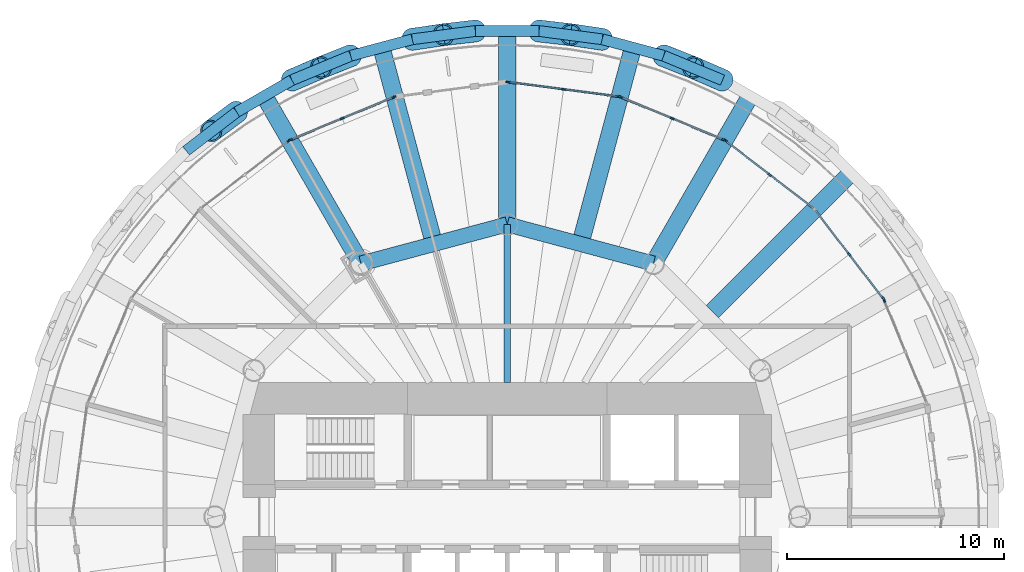
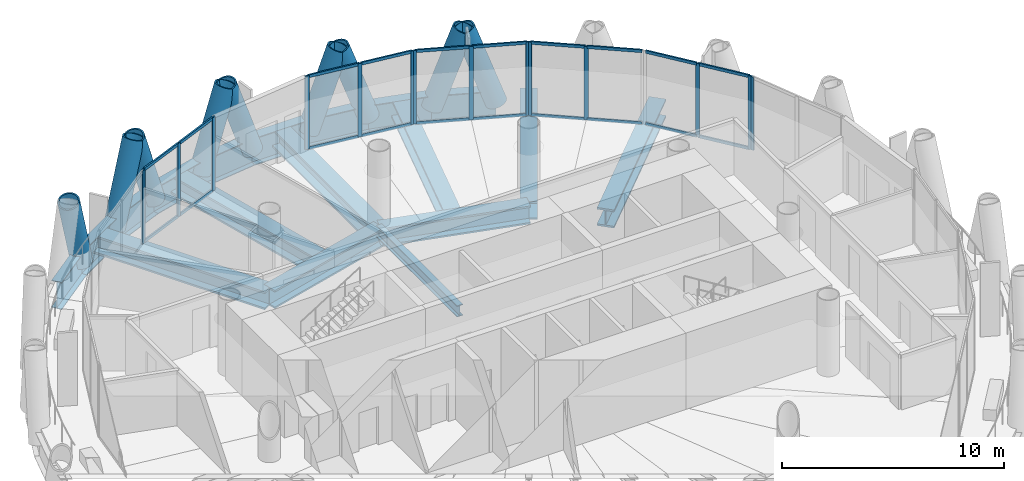
# One storey, part 6 of 15: 44 members, 18 beams, 7 elements without a shape of their own.
"""IFC4 building model written with IfcOpenShell, lengths in metres."""

from ifc_helpers import new_model, si_unit, direction, frame, origin, origin_2d, place, context, subcontext, project, spatial, rectangle, hollow_circle, i_section, extrude, material, material_profile, profile_set, type_object, element, aggregate, save


model = new_model("IFC4")

# Units and contexts
model_context = context("Model", 3, precision=1e-05, world=origin(), true_north=direction((0.0, 1.0)))
body_context = subcontext(model_context, "Body", "Model", "MODEL_VIEW")
ifc_project = project(units=[si_unit("LENGTHUNIT", "METRE"), si_unit("AREAUNIT", "SQUARE_METRE"), si_unit("VOLUMEUNIT", "CUBIC_METRE"), si_unit("PLANEANGLEUNIT", "RADIAN"), si_unit("MASSUNIT", "GRAM", prefix="KILO")], contexts=[model_context])

# Site, building, storey
site_placement = place(None, origin())
site = spatial("IfcSite", under=ifc_project, at=site_placement, CompositionType="ELEMENT")
building_placement = place(site_placement, origin())
building = spatial("IfcBuilding", under=site, at=building_placement, Name="Qaws Media Tower", CompositionType="ELEMENT")
storey_placement = place(building_placement, frame((0.0, 0.0, 231.800048828125)))
storey = spatial("IfcBuildingStorey", under=building, at=storey_placement, Name="L53", CompositionType="ELEMENT", Elevation=231.800048828125)

# Curtain wall, member
ifc_material_1 = material(Name="Aluminium and clear glass", Category="aluminium")
curtain_wall_type = type_object("IfcCurtainWallType", Name="Unitised curtain wall CW-C", PredefinedType="NOTDEFINED", material=ifc_material_1)
curtain_wall_1_placement = place(storey_placement, origin())
curtain_wall_1 = element("IfcCurtainWall", 1, at=curtain_wall_1_placement, inside=storey, type_object=curtain_wall_type, Name="CWC curtain wall L53-02", PredefinedType="NOTDEFINED")
ifc_material_2 = material(Name="Aluminium mullion", Category="aluminium")
ifc_material_profile_1 = material_profile(ifc_material_2, rectangle(XDim=0.080078125, YDim=0.199951171875, at=origin_2d()), Name="80x200")
ifc_profile_set_1 = profile_set([ifc_material_profile_1], Name="Aluminium mullion")
member_type_1 = type_object("IfcMemberType", Name="Curtain wall mullion 80x200", PredefinedType="MULLION", material=ifc_profile_set_1)
member_1_placement = place(storey_placement, frame((77.40087890625, 60.00048828125, 0.0), z_axis=(0.0, 0.0, 1.0), x_axis=(-0.923879540513, -0.382683413048, 0.0)))
member_1 = element("IfcMember", 2, at=member_1_placement, type_object=member_type_1, Name="CWC mullion 3", PredefinedType="MULLION", context=body_context, shape_type="SweptSolid", body=[
    extrude(rectangle(XDim=0.080078125, YDim=0.199951171875, at=origin_2d()), origin(), (0.0, 0.0, 1.0), 4.0400390625),
])
aggregate(curtain_wall_1, [member_1])

# Curtain wall, members
curtain_wall_2_placement = place(storey_placement, origin())
curtain_wall_2 = element("IfcCurtainWall", 3, at=curtain_wall_2_placement, inside=storey, type_object=curtain_wall_type, Name="CWC curtain wall L53-03", PredefinedType="NOTDEFINED")
member_2_placement = place(storey_placement, frame((77.361083984375, 60.0693359375, 0.0), z_axis=(0.0, 0.0, 1.0), x_axis=(-0.79335339842, -0.608761353254, 0.0)))
member_2 = element("IfcMember", 4, at=member_2_placement, type_object=member_type_1, Name="CWC mullion 1", PredefinedType="MULLION", context=body_context, shape_type="SweptSolid", body=[
    extrude(rectangle(XDim=0.080078125, YDim=0.199951171875, at=origin_2d()), origin(), (0.0, 0.0, 1.0), 4.0400390625),
])
member_3_placement = place(storey_placement, frame((75.790283203125, 62.116455078125, 0.0), z_axis=(0.0, 0.0, 1.0), x_axis=(-0.79335339842, -0.608761353254, 0.0)))
member_3 = element("IfcMember", 5, at=member_3_placement, type_object=member_type_1, Name="CWC mullion 2", PredefinedType="MULLION", context=body_context, shape_type="SweptSolid", body=[
    extrude(rectangle(XDim=0.080078125, YDim=0.199951171875, at=origin_2d()), origin(), (0.0, 0.0, 1.0), 4.0400390625),
])

curtain_wall_3_placement = place(storey_placement, origin())
curtain_wall_3 = element("IfcCurtainWall", 6, at=curtain_wall_3_placement, inside=storey, type_object=curtain_wall_type, Name="CWC curtain wall L53-04", PredefinedType="NOTDEFINED")
member_4_placement = place(storey_placement, frame((72.116455078125, 65.790283203125, 0.0), z_axis=(0.0, 0.0, 1.0), x_axis=(-0.608761353254, -0.79335339842, 0.0)))
member_4 = element("IfcMember", 7, at=member_4_placement, type_object=member_type_1, Name="CWC mullion 2", PredefinedType="MULLION", context=body_context, shape_type="SweptSolid", body=[
    extrude(rectangle(XDim=0.080078125, YDim=0.199951171875, at=origin_2d()), origin(), (0.0, 0.0, 1.0), 4.0400390625),
])
member_5_placement = place(storey_placement, frame((70.0693359375, 67.361083984375, 0.0), z_axis=(0.0, 0.0, 1.0), x_axis=(-0.608761353254, -0.79335339842, 0.0)))
member_5 = element("IfcMember", 8, at=member_5_placement, type_object=member_type_1, Name="CWC mullion 3", PredefinedType="MULLION", context=body_context, shape_type="SweptSolid", body=[
    extrude(rectangle(XDim=0.080078125, YDim=0.199951171875, at=origin_2d()), origin(), (0.0, 0.0, 1.0), 4.0400390625),
])

curtain_wall_4_placement = place(storey_placement, origin())
curtain_wall_4 = element("IfcCurtainWall", 9, at=curtain_wall_4_placement, inside=storey, type_object=curtain_wall_type, Name="CWC curtain wall L53-05", PredefinedType="NOTDEFINED")
member_6_placement = place(storey_placement, frame((70.00048828125, 67.40087890625, 0.0), z_axis=(0.0, 0.0, 1.0), x_axis=(-0.382683413048, -0.923879540513, 0.0)))
member_6 = element("IfcMember", 10, at=member_6_placement, type_object=member_type_1, Name="CWC mullion 1", PredefinedType="MULLION", context=body_context, shape_type="SweptSolid", body=[
    extrude(rectangle(XDim=0.080078125, YDim=0.199951171875, at=origin_2d()), origin(), (0.0, 0.0, 1.0), 4.0400390625),
])
member_7_placement = place(storey_placement, frame((67.61669921875, 68.38818359375, 0.0), z_axis=(0.0, 0.0, 1.0), x_axis=(-0.382683413048, -0.923879540513, 0.0)))
member_7 = element("IfcMember", 11, at=member_7_placement, type_object=member_type_1, Name="CWC mullion 2", PredefinedType="MULLION", context=body_context, shape_type="SweptSolid", body=[
    extrude(rectangle(XDim=0.080078125, YDim=0.199951171875, at=origin_2d()), origin(), (0.0, 0.0, 1.0), 4.0400390625),
])
member_8_placement = place(storey_placement, frame((65.232666015625, 69.375732421875, 0.0), z_axis=(0.0, 0.0, 1.0), x_axis=(-0.382683413048, -0.923879540513, 0.0)))
member_8 = element("IfcMember", 12, at=member_8_placement, type_object=member_type_1, Name="CWC mullion 3", PredefinedType="MULLION", context=body_context, shape_type="SweptSolid", body=[
    extrude(rectangle(XDim=0.080078125, YDim=0.199951171875, at=origin_2d()), origin(), (0.0, 0.0, 1.0), 4.0400390625),
])

curtain_wall_5_placement = place(storey_placement, origin())
curtain_wall_5 = element("IfcCurtainWall", 13, at=curtain_wall_5_placement, inside=storey, type_object=curtain_wall_type, Name="CWC curtain wall L53-06", PredefinedType="NOTDEFINED")
member_9_placement = place(storey_placement, frame((65.15625, 69.396240234375, 0.0), z_axis=(0.0, 0.0, 1.0), x_axis=(-0.130526193397, -0.991444861219, 0.0)))
member_9 = element("IfcMember", 14, at=member_9_placement, type_object=member_type_1, Name="CWC mullion 1", PredefinedType="MULLION", context=body_context, shape_type="SweptSolid", body=[
    extrude(rectangle(XDim=0.080078125, YDim=0.199951171875, at=origin_2d()), origin(), (0.0, 0.0, 1.0), 4.0400390625),
])
member_10_placement = place(storey_placement, frame((62.597900390625, 69.73291015625, 0.0), z_axis=(0.0, 0.0, 1.0), x_axis=(-0.130526193397, -0.991444861219, 0.0)))
member_10 = element("IfcMember", 15, at=member_10_placement, type_object=member_type_1, Name="CWC mullion 2", PredefinedType="MULLION", context=body_context, shape_type="SweptSolid", body=[
    extrude(rectangle(XDim=0.080078125, YDim=0.199951171875, at=origin_2d()), origin(), (0.0, 0.0, 1.0), 4.0400390625),
])
member_11_placement = place(storey_placement, frame((60.03955078125, 70.06982421875, 0.0), z_axis=(0.0, 0.0, 1.0), x_axis=(-0.130526193397, -0.991444861219, 0.0)))
member_11 = element("IfcMember", 16, at=member_11_placement, type_object=member_type_1, Name="CWC mullion 3", PredefinedType="MULLION", context=body_context, shape_type="SweptSolid", body=[
    extrude(rectangle(XDim=0.080078125, YDim=0.199951171875, at=origin_2d()), origin(), (0.0, 0.0, 1.0), 4.0400390625),
])

curtain_wall_6_placement = place(storey_placement, origin())
curtain_wall_6 = element("IfcCurtainWall", 17, at=curtain_wall_6_placement, inside=storey, type_object=curtain_wall_type, Name="CWC curtain wall L53-08", PredefinedType="NOTDEFINED")
member_12_placement = place(storey_placement, frame((54.767333984375, 69.375732421875, 0.0), z_axis=(0.0, 0.0, 1.0), x_axis=(0.382683413048, -0.923879540513, 0.0)))
member_12 = element("IfcMember", 18, at=member_12_placement, type_object=member_type_1, Name="CWC mullion 1", PredefinedType="MULLION", context=body_context, shape_type="SweptSolid", body=[
    extrude(rectangle(XDim=0.080078125, YDim=0.199951171875, at=origin_2d()), origin(), (0.0, 0.0, 1.0), 4.0400390625),
])
member_13_placement = place(storey_placement, frame((52.38330078125, 68.38818359375, 0.0), z_axis=(0.0, 0.0, 1.0), x_axis=(0.382683413048, -0.923879540513, 0.0)))
member_13 = element("IfcMember", 19, at=member_13_placement, type_object=member_type_1, Name="CWC mullion 2", PredefinedType="MULLION", context=body_context, shape_type="SweptSolid", body=[
    extrude(rectangle(XDim=0.080078125, YDim=0.199951171875, at=origin_2d()), origin(), (0.0, 0.0, 1.0), 4.0400390625),
])
member_14_placement = place(storey_placement, frame((49.99951171875, 67.40087890625, 0.0), z_axis=(0.0, 0.0, 1.0), x_axis=(0.382683413048, -0.923879540513, 0.0)))
member_14 = element("IfcMember", 20, at=member_14_placement, type_object=member_type_1, Name="CWC mullion 3", PredefinedType="MULLION", context=body_context, shape_type="SweptSolid", body=[
    extrude(rectangle(XDim=0.080078125, YDim=0.199951171875, at=origin_2d()), origin(), (0.0, 0.0, 1.0), 4.0400390625),
])

# Curtain wall, member
curtain_wall_7_placement = place(storey_placement, origin())
curtain_wall_7 = element("IfcCurtainWall", 21, at=curtain_wall_7_placement, inside=storey, type_object=curtain_wall_type, Name="CWC curtain wall L53-09", PredefinedType="NOTDEFINED")
member_15_placement = place(storey_placement, frame((49.9306640625, 67.361083984375, 0.0), z_axis=(0.0, 0.0, 1.0), x_axis=(0.608761353254, -0.79335339842, 0.0)))
member_15 = element("IfcMember", 22, at=member_15_placement, type_object=member_type_1, Name="CWC mullion 1", PredefinedType="MULLION", context=body_context, shape_type="SweptSolid", body=[
    extrude(rectangle(XDim=0.080078125, YDim=0.199951171875, at=origin_2d()), origin(), (0.0, 0.0, 1.0), 4.0400390625),
])
aggregate(curtain_wall_7, [member_15])

# Member
ifc_material_3 = material(Name="Aluminium transom", Category="aluminium")
ifc_material_profile_2 = material_profile(ifc_material_3, rectangle(XDim=0.080078125, YDim=0.159912109375, at=origin_2d()), Name="80x160")
ifc_profile_set_2 = profile_set([ifc_material_profile_2], Name="Aluminium transom")
member_type_2 = type_object("IfcMemberType", Name="Curtain wall transom 80x160", PredefinedType="USERDEFINED", material=ifc_profile_set_2)
member_16_placement = place(storey_placement, frame((77.336669921875, 60.10107421875, 0.0400390625), z_axis=(-0.608728745626, 0.793378418064, 0.0), x_axis=(-0.793378418064, -0.608728745626, 0.0)))
member_16 = element("IfcMember", 23, at=member_16_placement, type_object=member_type_2, Name="CWC transom 1.1", ObjectType="TRANSOM", PredefinedType="USERDEFINED", context=body_context, shape_type="SweptSolid", body=[
    extrude(rectangle(XDim=0.080078125, YDim=0.159912109375, at=origin_2d()), origin(), (0.0, 0.0, 1.0), 2.500244140625),
])

member_17_placement = place(storey_placement, frame((77.336669921875, 60.10107421875, 4.0), z_axis=(-0.608728745626, 0.793378418064, 0.0), x_axis=(-0.793378418064, -0.608728745626, 0.0)))
member_17 = element("IfcMember", 24, at=member_17_placement, type_object=member_type_2, Name="CWC transom 1.2", ObjectType="TRANSOM", PredefinedType="USERDEFINED", context=body_context, shape_type="SweptSolid", body=[
    extrude(rectangle(XDim=0.080078125, YDim=0.159912109375, at=origin_2d()), origin(), (0.0, 0.0, 1.0), 2.500244140625),
])

member_18_placement = place(storey_placement, frame((75.765869140625, 62.14794921875, 0.0400390625), z_axis=(-0.608728745626, 0.793378418064, 0.0), x_axis=(-0.793378418064, -0.608728745626, 0.0)))
member_18 = element("IfcMember", 25, at=member_18_placement, type_object=member_type_2, Name="CWC transom 2.1", ObjectType="TRANSOM", PredefinedType="USERDEFINED", context=body_context, shape_type="SweptSolid", body=[
    extrude(rectangle(XDim=0.080078125, YDim=0.159912109375, at=origin_2d()), origin(), (0.0, 0.0, 1.0), 2.500244140625),
])

member_19_placement = place(storey_placement, frame((75.765869140625, 62.14794921875, 4.0), z_axis=(-0.608728745626, 0.793378418064, 0.0), x_axis=(-0.793378418064, -0.608728745626, 0.0)))
member_19 = element("IfcMember", 26, at=member_19_placement, type_object=member_type_2, Name="CWC transom 2.2", ObjectType="TRANSOM", PredefinedType="USERDEFINED", context=body_context, shape_type="SweptSolid", body=[
    extrude(rectangle(XDim=0.080078125, YDim=0.159912109375, at=origin_2d()), origin(), (0.0, 0.0, 1.0), 2.500244140625),
])

aggregate(curtain_wall_2, [member_2, member_3, member_16, member_17, member_18, member_19])

member_20_placement = place(storey_placement, frame((74.131591796875, 64.243896484375, 0.0400390625), z_axis=(-0.793378418064, 0.608728745626, 0.0), x_axis=(-0.608728745626, -0.793378418064, 0.0)))
member_20 = element("IfcMember", 27, at=member_20_placement, type_object=member_type_2, Name="CWC transom 1.1", ObjectType="TRANSOM", PredefinedType="USERDEFINED", context=body_context, shape_type="SweptSolid", body=[
    extrude(rectangle(XDim=0.080078125, YDim=0.159912109375, at=origin_2d()), origin(), (0.0, 0.0, 1.0), 2.500244140625),
])

member_21_placement = place(storey_placement, frame((74.131591796875, 64.243896484375, 4.0), z_axis=(-0.793378418064, 0.608728745626, 0.0), x_axis=(-0.608728745626, -0.793378418064, 0.0)))
member_21 = element("IfcMember", 28, at=member_21_placement, type_object=member_type_2, Name="CWC transom 1.2", ObjectType="TRANSOM", PredefinedType="USERDEFINED", context=body_context, shape_type="SweptSolid", body=[
    extrude(rectangle(XDim=0.080078125, YDim=0.159912109375, at=origin_2d()), origin(), (0.0, 0.0, 1.0), 2.500244140625),
])

member_22_placement = place(storey_placement, frame((72.084716796875, 65.814697265625, 0.0400390625), z_axis=(-0.793378418064, 0.608728745626, 0.0), x_axis=(-0.608728745626, -0.793378418064, 0.0)))
member_22 = element("IfcMember", 29, at=member_22_placement, type_object=member_type_2, Name="CWC transom 2.1", ObjectType="TRANSOM", PredefinedType="USERDEFINED", context=body_context, shape_type="SweptSolid", body=[
    extrude(rectangle(XDim=0.080078125, YDim=0.159912109375, at=origin_2d()), origin(), (0.0, 0.0, 1.0), 2.500244140625),
])

member_23_placement = place(storey_placement, frame((72.084716796875, 65.814697265625, 4.0), z_axis=(-0.793378418064, 0.608728745626, 0.0), x_axis=(-0.608728745626, -0.793378418064, 0.0)))
member_23 = element("IfcMember", 30, at=member_23_placement, type_object=member_type_2, Name="CWC transom 2.2", ObjectType="TRANSOM", PredefinedType="USERDEFINED", context=body_context, shape_type="SweptSolid", body=[
    extrude(rectangle(XDim=0.080078125, YDim=0.159912109375, at=origin_2d()), origin(), (0.0, 0.0, 1.0), 2.500244140625),
])

aggregate(curtain_wall_3, [member_4, member_5, member_20, member_21, member_22, member_23])

member_24_placement = place(storey_placement, frame((69.963623046875, 67.416015625, 0.0400390625), z_axis=(-0.923889499549, 0.382659368921, 0.0), x_axis=(-0.382659368921, -0.923889499549, 0.0)))
member_24 = element("IfcMember", 31, at=member_24_placement, type_object=member_type_2, Name="CWC transom 1.1", ObjectType="TRANSOM", PredefinedType="USERDEFINED", context=body_context, shape_type="SweptSolid", body=[
    extrude(rectangle(XDim=0.080078125, YDim=0.159912109375, at=origin_2d()), origin(), (0.0, 0.0, 1.0), 2.500244140625),
])

member_25_placement = place(storey_placement, frame((69.963623046875, 67.416015625, 4.0), z_axis=(-0.923889499549, 0.382659368921, 0.0), x_axis=(-0.382659368921, -0.923889499549, 0.0)))
member_25 = element("IfcMember", 32, at=member_25_placement, type_object=member_type_2, Name="CWC transom 1.2", ObjectType="TRANSOM", PredefinedType="USERDEFINED", context=body_context, shape_type="SweptSolid", body=[
    extrude(rectangle(XDim=0.080078125, YDim=0.159912109375, at=origin_2d()), origin(), (0.0, 0.0, 1.0), 2.500244140625),
])

member_26_placement = place(storey_placement, frame((67.57958984375, 68.403564453125, 0.0400390625), z_axis=(-0.923875200059, 0.382693891664, 0.0), x_axis=(-0.382693891664, -0.923875200059, 0.0)))
member_26 = element("IfcMember", 33, at=member_26_placement, type_object=member_type_2, Name="CWC transom 2.1", ObjectType="TRANSOM", PredefinedType="USERDEFINED", context=body_context, shape_type="SweptSolid", body=[
    extrude(rectangle(XDim=0.080078125, YDim=0.159912109375, at=origin_2d()), origin(), (0.0, 0.0, 1.0), 2.500244140625),
])

member_27_placement = place(storey_placement, frame((67.57958984375, 68.403564453125, 4.0), z_axis=(-0.923875200059, 0.382693891664, 0.0), x_axis=(-0.382693891664, -0.923875200059, 0.0)))
member_27 = element("IfcMember", 34, at=member_27_placement, type_object=member_type_2, Name="CWC transom 2.2", ObjectType="TRANSOM", PredefinedType="USERDEFINED", context=body_context, shape_type="SweptSolid", body=[
    extrude(rectangle(XDim=0.080078125, YDim=0.159912109375, at=origin_2d()), origin(), (0.0, 0.0, 1.0), 2.500244140625),
])

aggregate(curtain_wall_4, [member_6, member_7, member_8, member_24, member_25, member_26, member_27])

member_28_placement = place(storey_placement, frame((65.116455078125, 69.4013671875, 0.0400390625), z_axis=(-0.991442327246, 0.130545439386, 0.0), x_axis=(-0.130545439386, -0.991442327246, 0.0)))
member_28 = element("IfcMember", 35, at=member_28_placement, type_object=member_type_2, Name="CWC transom 1.1", ObjectType="TRANSOM", PredefinedType="USERDEFINED", context=body_context, shape_type="SweptSolid", body=[
    extrude(rectangle(XDim=0.080078125, YDim=0.159912109375, at=origin_2d()), origin(), (0.0, 0.0, 1.0), 2.50048828125),
])

member_29_placement = place(storey_placement, frame((65.116455078125, 69.4013671875, 4.0), z_axis=(-0.991442327246, 0.130545439386, 0.0), x_axis=(-0.130545439386, -0.991442327246, 0.0)))
member_29 = element("IfcMember", 36, at=member_29_placement, type_object=member_type_2, Name="CWC transom 1.2", ObjectType="TRANSOM", PredefinedType="USERDEFINED", context=body_context, shape_type="SweptSolid", body=[
    extrude(rectangle(XDim=0.080078125, YDim=0.159912109375, at=origin_2d()), origin(), (0.0, 0.0, 1.0), 2.50048828125),
])

member_30_placement = place(storey_placement, frame((62.558349609375, 69.73828125, 0.0400390625), z_axis=(-0.991454960212, 0.130449460985, 0.0), x_axis=(-0.130449460985, -0.991454960212, 0.0)))
member_30 = element("IfcMember", 37, at=member_30_placement, type_object=member_type_2, Name="CWC transom 2.1", ObjectType="TRANSOM", PredefinedType="USERDEFINED", context=body_context, shape_type="SweptSolid", body=[
    extrude(rectangle(XDim=0.080078125, YDim=0.159912109375, at=origin_2d()), origin(), (0.0, 0.0, 1.0), 2.50048828125),
])

member_31_placement = place(storey_placement, frame((62.558349609375, 69.73828125, 4.0), z_axis=(-0.991454960212, 0.130449460985, 0.0), x_axis=(-0.130449460985, -0.991454960212, 0.0)))
member_31 = element("IfcMember", 38, at=member_31_placement, type_object=member_type_2, Name="CWC transom 2.2", ObjectType="TRANSOM", PredefinedType="USERDEFINED", context=body_context, shape_type="SweptSolid", body=[
    extrude(rectangle(XDim=0.080078125, YDim=0.159912109375, at=origin_2d()), origin(), (0.0, 0.0, 1.0), 2.50048828125),
])

aggregate(curtain_wall_5, [member_9, member_10, member_11, member_28, member_29, member_30, member_31])

member_32_placement = place(storey_placement, frame((54.730224609375, 69.3603515625, 0.0400390625), z_axis=(-0.923875200059, -0.382693891664, 0.0), x_axis=(0.382693891664, -0.923875200059, 0.0)))
member_32 = element("IfcMember", 39, at=member_32_placement, type_object=member_type_2, Name="CWC transom 1.1", ObjectType="TRANSOM", PredefinedType="USERDEFINED", context=body_context, shape_type="SweptSolid", body=[
    extrude(rectangle(XDim=0.080078125, YDim=0.159912109375, at=origin_2d()), origin(), (0.0, 0.0, 1.0), 2.500244140625),
])

member_33_placement = place(storey_placement, frame((54.730224609375, 69.3603515625, 4.0), z_axis=(-0.923875200059, -0.382693891664, 0.0), x_axis=(0.382693891664, -0.923875200059, 0.0)))
member_33 = element("IfcMember", 40, at=member_33_placement, type_object=member_type_2, Name="CWC transom 1.2", ObjectType="TRANSOM", PredefinedType="USERDEFINED", context=body_context, shape_type="SweptSolid", body=[
    extrude(rectangle(XDim=0.080078125, YDim=0.159912109375, at=origin_2d()), origin(), (0.0, 0.0, 1.0), 2.500244140625),
])

member_34_placement = place(storey_placement, frame((52.346435546875, 68.372802734375, 0.0400390625), z_axis=(-0.923889499549, -0.382659368921, 0.0), x_axis=(0.382659368921, -0.923889499549, 0.0)))
member_34 = element("IfcMember", 41, at=member_34_placement, type_object=member_type_2, Name="CWC transom 2.1", ObjectType="TRANSOM", PredefinedType="USERDEFINED", context=body_context, shape_type="SweptSolid", body=[
    extrude(rectangle(XDim=0.080078125, YDim=0.159912109375, at=origin_2d()), origin(), (0.0, 0.0, 1.0), 2.500244140625),
])

member_35_placement = place(storey_placement, frame((52.346435546875, 68.372802734375, 4.0), z_axis=(-0.923889499549, -0.382659368921, 0.0), x_axis=(0.382659368921, -0.923889499549, 0.0)))
member_35 = element("IfcMember", 42, at=member_35_placement, type_object=member_type_2, Name="CWC transom 2.2", ObjectType="TRANSOM", PredefinedType="USERDEFINED", context=body_context, shape_type="SweptSolid", body=[
    extrude(rectangle(XDim=0.080078125, YDim=0.159912109375, at=origin_2d()), origin(), (0.0, 0.0, 1.0), 2.500244140625),
])

aggregate(curtain_wall_6, [member_12, member_13, member_14, member_32, member_33, member_34, member_35])

# Members
ifc_material_4 = material(Name="Steel S460", Category="steel")
ifc_material_profile_3 = material_profile(ifc_material_4, hollow_circle(Radius=0.508056640625, WallThickness=0.070068359375, at=origin_2d()), Name="CHS 1016x70")
ifc_profile_set_3 = profile_set([ifc_material_profile_3], Name="Steel S460")
member_type_3 = type_object("IfcMemberType", Name="Diagrid member CHS 1016x70", PredefinedType="USERDEFINED", material=ifc_profile_set_3)
for number, where, z_axis, x_axis, name in (
    (43, (69.9404296875, 70.1572265625, -0.91015625), (-0.303170936051, 0.131231429431, 0.943856819366), (-0.397243881504, -0.917713080765, 0.0), "DG3 diagrid L53 A05"),
    (44, (64.384765625, 72.043212890625, -0.91015625), (-0.326815793982, 0.048278982492, 0.943854107717), (-0.146139386933, -0.989264009043, 0.0), "DG3 diagrid L53 A06"),
    (45, (67.224365234375, 71.2822265625, -0.91015625), (0.307175392233, -0.121575400819, 0.943855232714), (0.368009566167, 0.929822004047, 0.0), "DG3 diagrid L53 B06"),
    (46, (58.530029296875, 72.4267578125, -0.91015625), (-0.328186587472, -0.037909884979, 0.943851897505), (0.114750170186, -0.993394382127, 0.0), "DG3 diagrid L53 A07"),
    (47, (61.469970703125, 72.4267578125, -0.91015625), (0.328186587472, -0.037909884979, 0.943851897505), (0.114750170186, 0.993394382127, 0.0), "DG3 diagrid L53 B07"),
    (48, (52.775634765625, 71.2822265625, -0.91015625), (-0.307175392233, -0.121575400819, 0.943855232714), (0.368009566167, -0.929822004047, 0.0), "DG3 diagrid L53 A08"),
    (49, (55.615234375, 72.043212890625, -0.91015625), (0.326815793982, 0.048278982492, 0.943854107717), (-0.146139386933, 0.989264009043, 0.0), "DG3 diagrid L53 B08"),
):
    element("IfcMember", number, at=place(storey_placement, frame(where, z_axis=z_axis, x_axis=x_axis)), inside=storey, type_object=member_type_3, Name=name, ObjectType="DIAGRID", PredefinedType="USERDEFINED", context=body_context, shape_type="SweptSolid", body=[
        extrude(hollow_circle(Radius=0.508056640625, WallThickness=0.070068359375, at=origin_2d()), origin(), (0.0, 0.0, 1.0), 4.449951171875),
    ])
member_36_placement = place(storey_placement, frame((47.513671875, 68.687255859375, -0.91015625), z_axis=(-0.265258064978, -0.196954799022, 0.943846897598), x_axis=(0.596140546888, -0.802880095878, 0.0)))
element("IfcMember", 50, at=member_36_placement, inside=storey, type_object=member_type_3, Name="DG3 diagrid L53 A09", ObjectType="DIAGRID", PredefinedType="USERDEFINED", context=body_context, shape_type="SweptSolid", body=[
    extrude(hollow_circle(Radius=0.508056640625, WallThickness=0.070068359375, at=origin_2d()), origin(), (0.0, 0.0, 1.0), 4.4501953125),
])
member_37_placement = place(storey_placement, frame((50.0595703125, 70.1572265625, -0.91015625), z_axis=(0.303170936051, 0.131231429431, 0.943856819366), x_axis=(-0.397243881504, 0.917713080765, 0.0)))
element("IfcMember", 51, at=member_37_placement, inside=storey, type_object=member_type_3, Name="DG3 diagrid L53 B09", ObjectType="DIAGRID", PredefinedType="USERDEFINED", context=body_context, shape_type="SweptSolid", body=[
    extrude(hollow_circle(Radius=0.508056640625, WallThickness=0.070068359375, at=origin_2d()), origin(), (0.0, 0.0, 1.0), 4.449951171875),
])

# Beams
ifc_material_5 = material(Name="Steel S460", Category="steel")
ifc_material_profile_4 = material_profile(ifc_material_5, i_section(OverallWidth=0.5, OverallDepth=1.5, WebThickness=0.02001953125, FlangeThickness=0.0400390625, at=origin_2d()), Name="PG 1500x500")
ifc_profile_set_4 = profile_set([ifc_material_profile_4], Name="Steel S460")
beam_type_1 = type_object("IfcBeamType", Name="Edge ring beam PG 1500x500", PredefinedType="BEAM", material=ifc_profile_set_4)
beam_1_placement = place(storey_placement, frame((69.9404296875, 70.1572265625, -0.91015625), z_axis=(-0.923883228482, 0.38267450938, 0.0), x_axis=(-0.38267450938, -0.923883228482, 0.0)))
element("IfcBeam", 52, at=beam_1_placement, inside=storey, type_object=beam_type_1, Name="RB4 edge ring beam L53-09", PredefinedType="BEAM", context=body_context, shape_type="SweptSolid", body=[
    extrude(i_section(OverallWidth=0.5, OverallDepth=1.5, WebThickness=0.02001953125, FlangeThickness=0.0400390625, at=origin_2d()), origin(), (0.0, 0.0, 1.0), 2.93994140625),
])
beam_2_placement = place(storey_placement, frame((67.224365234375, 71.2822265625, -0.91015625), z_axis=(-0.965915798866, 0.258856465056, 0.0), x_axis=(-0.258856465056, -0.965915798866, 0.0)))
element("IfcBeam", 53, at=beam_2_placement, inside=storey, type_object=beam_type_1, Name="RB4 edge ring beam L53-10", PredefinedType="BEAM", context=body_context, shape_type="SweptSolid", body=[
    extrude(i_section(OverallWidth=0.5, OverallDepth=1.5, WebThickness=0.02001953125, FlangeThickness=0.0400390625, at=origin_2d()), origin(), (0.0, 0.0, 1.0), 2.939697265625),
])
for number, where, z_axis, x_axis, name in (
    (54, (64.384765625, 72.043212890625, -0.91015625), (-0.991453447565, 0.130460957042, 0.0), (-0.130460957042, -0.991453447565, 0.0), "RB4 edge ring beam L53-11"),
    (55, (61.469970703125, 72.4267578125, -0.91015625), (-1.0, 0.0, 0.0), (0.0, -1.0, 0.0), "RB4 edge ring beam L53-12"),
    (56, (58.530029296875, 72.4267578125, -0.91015625), (-0.991453447565, -0.130460957042, 0.0), (0.130460957042, -0.991453447565, 0.0), "RB4 edge ring beam L53-13"),
):
    element("IfcBeam", number, at=place(storey_placement, frame(where, z_axis=z_axis, x_axis=x_axis)), inside=storey, type_object=beam_type_1, Name=name, PredefinedType="BEAM", context=body_context, shape_type="SweptSolid", body=[
        extrude(i_section(OverallWidth=0.5, OverallDepth=1.5, WebThickness=0.02001953125, FlangeThickness=0.0400390625, at=origin_2d()), origin(), (0.0, 0.0, 1.0), 2.93994140625),
    ])
beam_3_placement = place(storey_placement, frame((55.615234375, 72.043212890625, -0.91015625), z_axis=(-0.965915798866, -0.258856465056, 0.0), x_axis=(0.258856465056, -0.965915798866, 0.0)))
element("IfcBeam", 57, at=beam_3_placement, inside=storey, type_object=beam_type_1, Name="RB4 edge ring beam L53-14", PredefinedType="BEAM", context=body_context, shape_type="SweptSolid", body=[
    extrude(i_section(OverallWidth=0.5, OverallDepth=1.5, WebThickness=0.02001953125, FlangeThickness=0.0400390625, at=origin_2d()), origin(), (0.0, 0.0, 1.0), 2.939697265625),
])
beam_4_placement = place(storey_placement, frame((52.775634765625, 71.2822265625, -0.91015625), z_axis=(-0.923883228482, -0.38267450938, 0.0), x_axis=(0.38267450938, -0.923883228482, 0.0)))
element("IfcBeam", 58, at=beam_4_placement, inside=storey, type_object=beam_type_1, Name="RB4 edge ring beam L53-15", PredefinedType="BEAM", context=body_context, shape_type="SweptSolid", body=[
    extrude(i_section(OverallWidth=0.5, OverallDepth=1.5, WebThickness=0.02001953125, FlangeThickness=0.0400390625, at=origin_2d()), origin(), (0.0, 0.0, 1.0), 2.93994140625),
])
beam_5_placement = place(storey_placement, frame((50.0595703125, 70.1572265625, -0.91015625), z_axis=(-0.866011328839, -0.500024377727, 0.0), x_axis=(0.500024377727, -0.866011328839, 0.0)))
element("IfcBeam", 59, at=beam_5_placement, inside=storey, type_object=beam_type_1, Name="RB4 edge ring beam L53-16", PredefinedType="BEAM", context=body_context, shape_type="SweptSolid", body=[
    extrude(i_section(OverallWidth=0.5, OverallDepth=1.5, WebThickness=0.02001953125, FlangeThickness=0.0400390625, at=origin_2d()), origin(), (0.0, 0.0, 1.0), 2.939697265625),
])
beam_6_placement = place(storey_placement, frame((47.513671875, 68.687255859375, -0.91015625), z_axis=(-0.793395131444, -0.608706961847, 0.0), x_axis=(0.608706961847, -0.793395131444, 0.0)))
element("IfcBeam", 60, at=beam_6_placement, inside=storey, type_object=beam_type_1, Name="RB4 edge ring beam L53-17", PredefinedType="BEAM", context=body_context, shape_type="SweptSolid", body=[
    extrude(i_section(OverallWidth=0.5, OverallDepth=1.5, WebThickness=0.02001953125, FlangeThickness=0.0400390625, at=origin_2d()), origin(), (0.0, 0.0, 1.0), 2.93994140625),
])
ifc_material_6 = material(Name="Steel S460", Category="steel")
ifc_material_profile_5 = material_profile(ifc_material_6, i_section(OverallWidth=0.699951171875, OverallDepth=1.0, WebThickness=0.034912109375, FlangeThickness=0.090087890625, at=origin_2d()), Name="PG 1000x700")
ifc_profile_set_5 = profile_set([ifc_material_profile_5], Name="Steel S460")
beam_type_2 = type_object("IfcBeamType", Name="Inner ring girder PG 1000x700", PredefinedType="BEAM", material=ifc_profile_set_5)
for number, where, z_axis, x_axis, name in (
    (61, (66.75, 61.69140625, -0.66015625), (-0.965928090778, 0.258810593767, 0.0), (-0.258810593767, -0.965928090778, 0.0), "B3 inner ring beam L53 I03-I04"),
    (62, (60.0, 63.5, -0.66015625), (-0.965928090778, -0.258810593767, 0.0), (0.258810593767, -0.965928090778, 0.0), "B3 inner ring beam L53 I04-I05"),
):
    element("IfcBeam", number, at=place(storey_placement, frame(where, z_axis=z_axis, x_axis=x_axis)), inside=storey, type_object=beam_type_2, Name=name, PredefinedType="BEAM", context=body_context, shape_type="SweptSolid", body=[
        extrude(i_section(OverallWidth=0.699951171875, OverallDepth=1.0, WebThickness=0.034912109375, FlangeThickness=0.090087890625, at=origin_2d()), origin(), (0.0, 0.0, 1.0), 6.988037109375),
    ])
ifc_material_7 = material(Name="Steel S355", Category="steel")
ifc_material_profile_6 = material_profile(ifc_material_7, i_section(OverallWidth=0.304931640625, OverallDepth=0.6201171875, WebThickness=0.02099609375, FlangeThickness=0.0400390625, FilletRadius=0.027099609375, at=origin_2d()), Name="HE 600 M")
ifc_profile_set_6 = profile_set([ifc_material_profile_6], Name="Steel S355")
beam_type_3 = type_object("IfcBeamType", Name="Radial beam HE 600 M, core side", PredefinedType="BEAM", material=ifc_profile_set_6)
beam_7_placement = place(storey_placement, frame((60.0, 56.199951171875, -0.469970703125), z_axis=(0.0, 1.0, 0.0), x_axis=(-1.0, 0.0, 0.0)))
element("IfcBeam", 63, at=beam_7_placement, inside=storey, type_object=beam_type_3, Name="B2 radial beam L53 07", PredefinedType="BEAM", context=body_context, shape_type="SweptSolid", body=[
    extrude(i_section(OverallWidth=0.304931640625, OverallDepth=0.6201171875, WebThickness=0.02099609375, FlangeThickness=0.0400390625, FilletRadius=0.027099609375, at=origin_2d()), origin(), (0.0, 0.0, 1.0), 7.300048828125),
])
ifc_material_8 = material(Name="Steel S460", Category="steel")
ifc_material_profile_7 = material_profile(ifc_material_8, i_section(OverallWidth=0.800048828125, OverallDepth=1.0, WebThickness=0.0400390625, FlangeThickness=0.10009765625, at=origin_2d()), Name="PG 1000x800")
ifc_profile_set_7 = profile_set([ifc_material_profile_7], Name="Steel S460")
beam_type_4 = type_object("IfcBeamType", Name="Radial girder PG 1000x800", PredefinedType="BEAM", material=ifc_profile_set_7)
beam_8_placement = place(storey_placement, frame((69.46826171875, 59.46826171875, -0.66015625), z_axis=(0.707106781187, 0.707106781187, 0.0), x_axis=(-0.707106781187, 0.707106781187, 0.0)))
element("IfcBeam", 64, at=beam_8_placement, inside=storey, type_object=beam_type_4, Name="B1 radial beam L53 04", PredefinedType="BEAM", context=body_context, shape_type="SweptSolid", body=[
    extrude(i_section(OverallWidth=0.800048828125, OverallDepth=1.0, WebThickness=0.0400390625, FlangeThickness=0.10009765625, at=origin_2d()), origin(), (0.0, 0.0, 1.0), 9.03662109375),
])
beam_9_placement = place(storey_placement, frame((66.75, 61.69140625, -0.66015625), z_axis=(0.499992336327, 0.866029828363, 0.0), x_axis=(-0.866029828363, 0.499992336327, 0.0)))
element("IfcBeam", 65, at=beam_9_placement, inside=storey, type_object=beam_type_4, Name="B1 radial beam L53 05", PredefinedType="BEAM", context=body_context, shape_type="SweptSolid", body=[
    extrude(i_section(OverallWidth=0.800048828125, OverallDepth=1.0, WebThickness=0.0400390625, FlangeThickness=0.10009765625, at=origin_2d()), origin(), (0.0, 0.0, 1.0), 8.927001953125),
])
beam_10_placement = place(storey_placement, frame((63.465576171875, 62.933837890625, -0.66015625), z_axis=(0.258819360768, 0.965925741707, 0.0), x_axis=(-0.965925741707, 0.258819360768, 0.0)))
element("IfcBeam", 66, at=beam_10_placement, inside=storey, type_object=beam_type_4, Name="B1 radial beam L53 06", PredefinedType="BEAM", context=body_context, shape_type="SweptSolid", body=[
    extrude(i_section(OverallWidth=0.800048828125, OverallDepth=1.0, WebThickness=0.0400390625, FlangeThickness=0.10009765625, at=origin_2d()), origin(), (0.0, 0.0, 1.0), 9.03662109375),
])
beam_11_placement = place(storey_placement, frame((60.0, 63.5, -0.66015625), z_axis=(0.0, 1.0, 0.0), x_axis=(-1.0, 0.0, 0.0)))
element("IfcBeam", 67, at=beam_11_placement, inside=storey, type_object=beam_type_4, Name="B1 radial beam L53 07", PredefinedType="BEAM", context=body_context, shape_type="SweptSolid", body=[
    extrude(i_section(OverallWidth=0.800048828125, OverallDepth=1.0, WebThickness=0.0400390625, FlangeThickness=0.10009765625, at=origin_2d()), origin(), (0.0, 0.0, 1.0), 8.9267578125),
])
beam_12_placement = place(storey_placement, frame((56.534423828125, 62.933837890625, -0.66015625), z_axis=(-0.258819360768, 0.965925741707, 0.0), x_axis=(-0.965925741707, -0.258819360768, 0.0)))
element("IfcBeam", 68, at=beam_12_placement, inside=storey, type_object=beam_type_4, Name="B1 radial beam L53 08", PredefinedType="BEAM", context=body_context, shape_type="SweptSolid", body=[
    extrude(i_section(OverallWidth=0.800048828125, OverallDepth=1.0, WebThickness=0.0400390625, FlangeThickness=0.10009765625, at=origin_2d()), origin(), (0.0, 0.0, 1.0), 9.03662109375),
])
beam_13_placement = place(storey_placement, frame((53.25, 61.69140625, -0.66015625), z_axis=(-0.499992336327, 0.866029828363, 0.0), x_axis=(-0.866029828363, -0.499992336327, 0.0)))
element("IfcBeam", 69, at=beam_13_placement, inside=storey, type_object=beam_type_4, Name="B1 radial beam L53 09", PredefinedType="BEAM", context=body_context, shape_type="SweptSolid", body=[
    extrude(i_section(OverallWidth=0.800048828125, OverallDepth=1.0, WebThickness=0.0400390625, FlangeThickness=0.10009765625, at=origin_2d()), origin(), (0.0, 0.0, 1.0), 8.927001953125),
])

save(model, "model.ifc")
